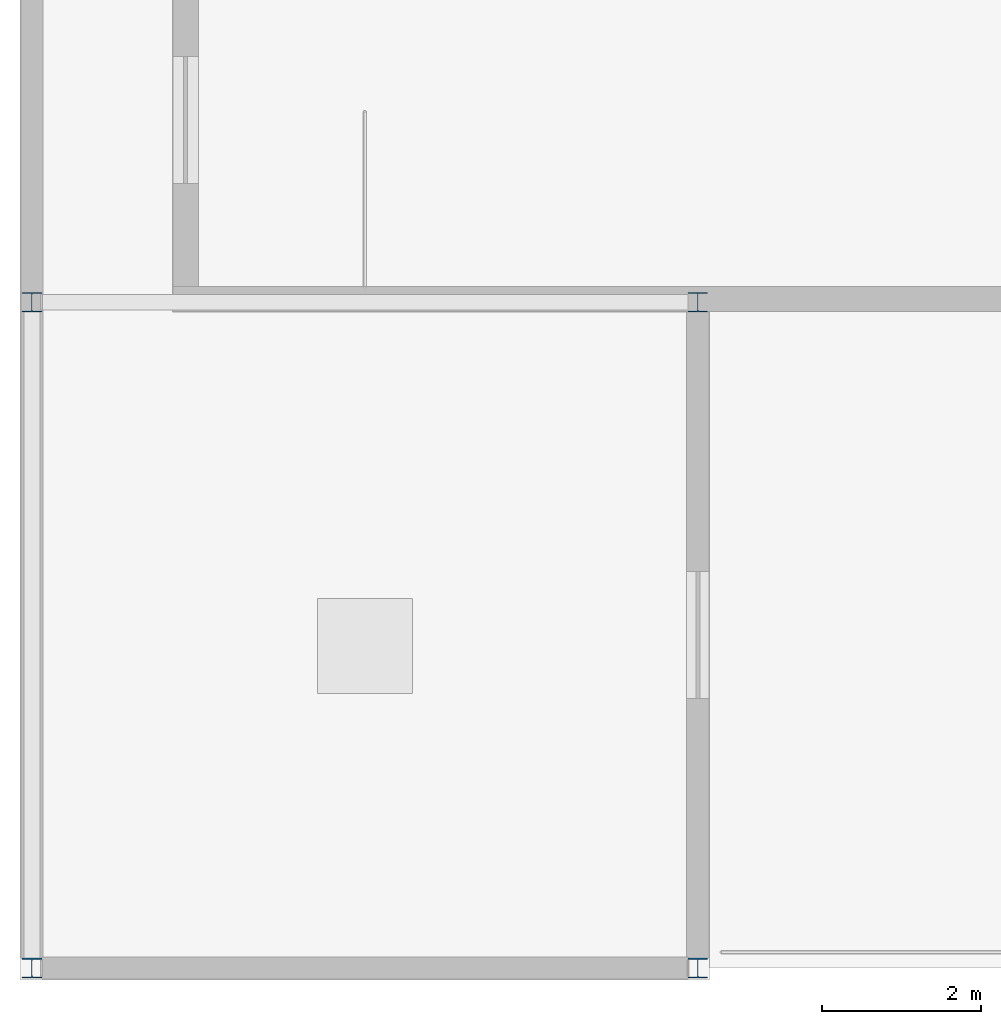
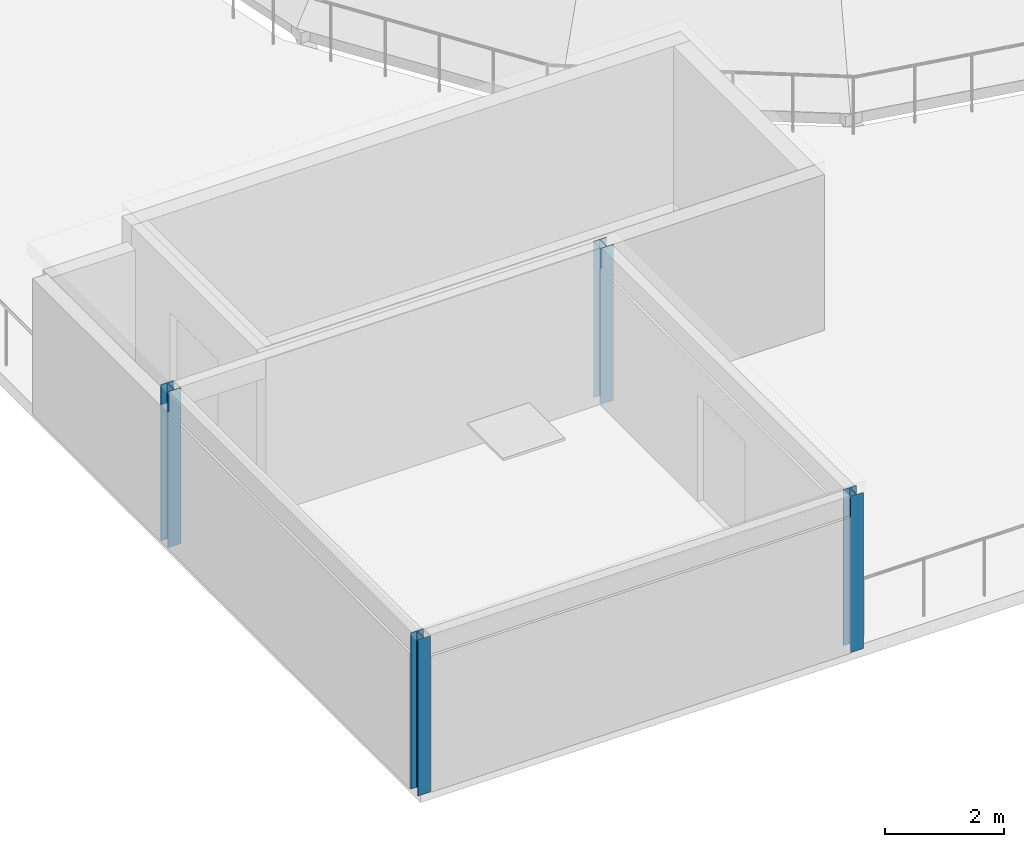
# One storey, part 1 of 40: 4 columns.
"""IFC4 building model written with IfcOpenShell, lengths in metres."""

from ifc_helpers import new_model, si_unit, direction, frame, origin, origin_2d, place, context, subcontext, project, spatial, i_section, extrude, material, material_profile, profile_set, type_object, element, save


model = new_model("IFC4")

# Units and contexts
model_context = context("Model", 3, precision=1e-05, world=origin(), true_north=direction((0.0, 1.0)))
body_context = subcontext(model_context, "Body", "Model", "MODEL_VIEW")
ifc_project = project(units=[si_unit("LENGTHUNIT", "METRE"), si_unit("AREAUNIT", "SQUARE_METRE"), si_unit("VOLUMEUNIT", "CUBIC_METRE"), si_unit("PLANEANGLEUNIT", "RADIAN"), si_unit("MASSUNIT", "GRAM", prefix="KILO"), si_unit("THERMODYNAMICTEMPERATUREUNIT", "KELVIN")], contexts=[model_context])

# Site, building, storey
site_placement = place(None, origin())
site = spatial("IfcSite", under=ifc_project, at=site_placement, CompositionType="ELEMENT")
building_placement = place(site_placement, origin())
building = spatial("IfcBuilding", under=site, at=building_placement, Name="Lustrewick Department Store", CompositionType="ELEMENT")
storey_placement = place(building_placement, frame((0.0, 0.0, 31.800048828125)))
storey = spatial("IfcBuildingStorey", under=building, at=storey_placement, Name="L07", CompositionType="ELEMENT", Elevation=31.800048828125)

# Columns
ifc_material = material(Name="Structural steel Q355B", Category="steel")
ifc_material_profile = material_profile(ifc_material, i_section(OverallWidth=0.25, OverallDepth=0.25, WebThickness=0.009033203125, FlangeThickness=0.013916015625, FilletRadius=0.01611328125, at=origin_2d()), Name="HW 250x250x9x14")
ifc_profile_set = profile_set([ifc_material_profile], Name="Structural steel Q355B")
column_type = type_object("IfcColumnType", Name="CE08", PredefinedType="COLUMN", material=ifc_profile_set)
for number, where, z_axis, x_axis, name in (
    (1, (8.39990234375, 42.0, 0.0), (0.0, 0.0, 1.0), (1.0, 0.0, 0.0), "L07 Refuge Lounge Column 1"),
    (2, (16.800048828125, 42.0, 0.0), (0.0, 0.0, 1.0), (1.0, 0.0, 0.0), "L07 Refuge Lounge Column 2"),
    (3, (16.800048828125, 50.39990234375, 0.0), (0.0, 0.0, 1.0), (1.0, 0.0, 0.0), "L07 Refuge Lounge Column 3"),
    (4, (8.39990234375, 50.39990234375, 0.0), (0.0, 0.0, 1.0), (1.0, 0.0, 0.0), "L07 Refuge Lounge Column 4"),
):
    element("IfcColumn", number, at=place(storey_placement, frame(where, z_axis=z_axis, x_axis=x_axis)), inside=storey, type_object=column_type, Name=name, PredefinedType="COLUMN", context=body_context, shape_type="SweptSolid", body=[
        extrude(i_section(OverallWidth=0.25, OverallDepth=0.25, WebThickness=0.009033203125, FlangeThickness=0.013916015625, FilletRadius=0.01611328125, at=origin_2d()), origin(), (0.0, 0.0, 1.0), 3.199951171875),
    ])

save(model, "model.ifc")
